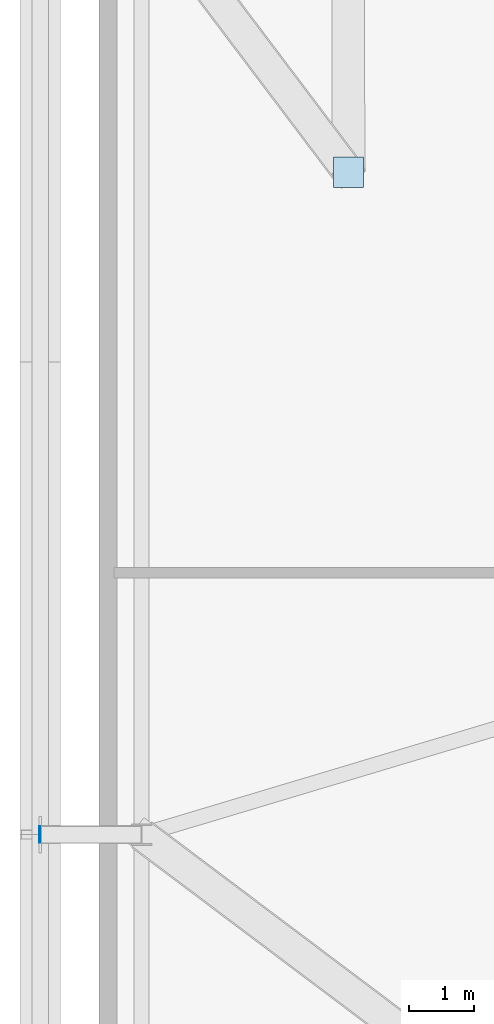
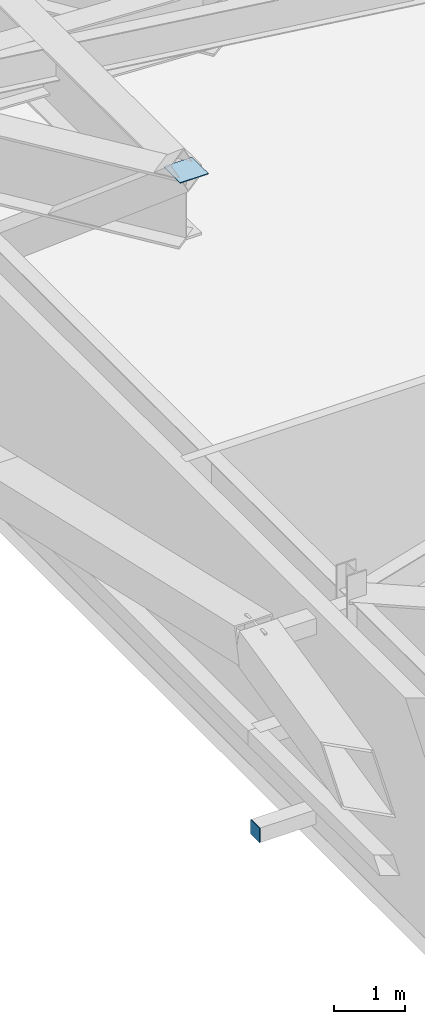
# One storey, part 15 of 24: 2 plates.
"""IFC4 building model written with IfcOpenShell, lengths in metres."""

from ifc_helpers import new_model, si_unit, direction, frame, origin, origin_2d, place, context, subcontext, project, spatial, rectangle, extrude, source, transform, mapped, material, layer, layer_set, type_object, element, save


model = new_model("IFC4")

# Units and contexts
model_context = context("Model", 3, precision=1e-05, world=origin(), true_north=direction((0.0, 1.0)))
body_context = subcontext(model_context, "Body", "Model", "MODEL_VIEW")
ifc_project = project(units=[si_unit("LENGTHUNIT", "METRE"), si_unit("AREAUNIT", "SQUARE_METRE"), si_unit("VOLUMEUNIT", "CUBIC_METRE"), si_unit("PLANEANGLEUNIT", "RADIAN"), si_unit("MASSUNIT", "GRAM", prefix="KILO")], contexts=[model_context])

# Site, building, storey
site_placement = place(None, origin())
site = spatial("IfcSite", under=ifc_project, at=site_placement, CompositionType="ELEMENT")
building_placement = place(site_placement, origin())
building = spatial("IfcBuilding", under=site, at=building_placement, Name="Taldren Reach Tower", CompositionType="ELEMENT")
storey_placement = place(building_placement, frame((0.0, 0.0, 60.89990234375)))
storey = spatial("IfcBuildingStorey", under=building, at=storey_placement, Name="L18", CompositionType="ELEMENT", Elevation=60.89990234375)

# Plates
ifc_material_1 = material(Name="Steel Gr 350 (C350L0)", Category="steel")
ifc_layer_1 = layer(ifc_material_1, 0.011962890625)
ifc_layer_set_1 = layer_set([ifc_layer_1], Name="Steel Gr 350 (C350L0)")
plate_type_1 = type_object("IfcPlateType", Name="PL-CAP-250", PredefinedType="SHEET", material=ifc_layer_set_1)
shared_shape_1 = source(origin(), body_context, "Body", "SweptSolid", [
    extrude(rectangle(XDim=0.011962890625, YDim=0.25, at=origin_2d()), origin(), (0.0, 0.0, 1.0), 0.25),
])
plate_1_placement = place(storey_placement, frame((4.093994140625, 20.0, 0.09521484375), z_axis=(0.0, 0.0, 1.0), x_axis=(1.0, 0.0, 0.0)))
element("IfcPlate", 1, at=plate_1_placement, inside=storey, type_object=plate_type_1, Name="Tie strut end cap plate B1-W2 L18", PredefinedType="SHEET", context=body_context, shape_type="MappedRepresentation", body=[
    mapped(shared_shape_1, transform((0.0, 0.0, 0.0), scale=1.0)),
])
ifc_material_2 = material(Name="Steel Gr 450 (C450L0)", Category="steel")
ifc_layer_2 = layer(ifc_material_2, 0.011962890625)
ifc_layer_set_2 = layer_set([ifc_layer_2], Name="Steel Gr 450 (C450L0)")
plate_type_2 = type_object("IfcPlateType", Name="PL-CAP-460", PredefinedType="SHEET", material=ifc_layer_set_2)
shared_shape_2 = source(origin(), body_context, "Body", "SweptSolid", [
    extrude(rectangle(XDim=0.4599609375, YDim=0.4599609375, at=origin_2d()), origin(), (0.0, 0.0, 1.0), 0.011962890625),
])
plate_2_placement = place(storey_placement, frame((8.808349609375, 30.116455078125, 3.76806640625), z_axis=(0.0, 0.0, 1.0), x_axis=(1.0, 0.0, 0.0)))
element("IfcPlate", 2, at=plate_2_placement, inside=storey, type_object=plate_type_2, Name="Transfer strut end cap plate TS-B2-W3 L18", PredefinedType="SHEET", context=body_context, shape_type="MappedRepresentation", body=[
    mapped(shared_shape_2, transform((0.0, 0.0, 0.0), scale=1.0)),
])

save(model, "model.ifc")
